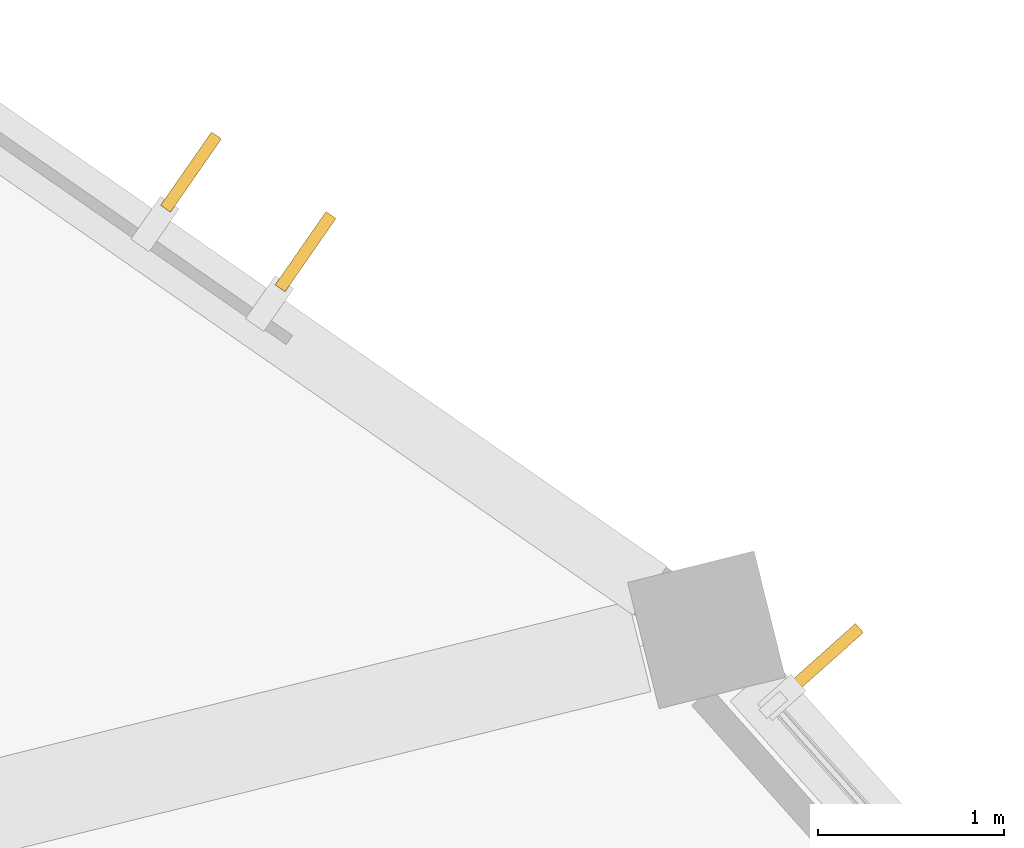
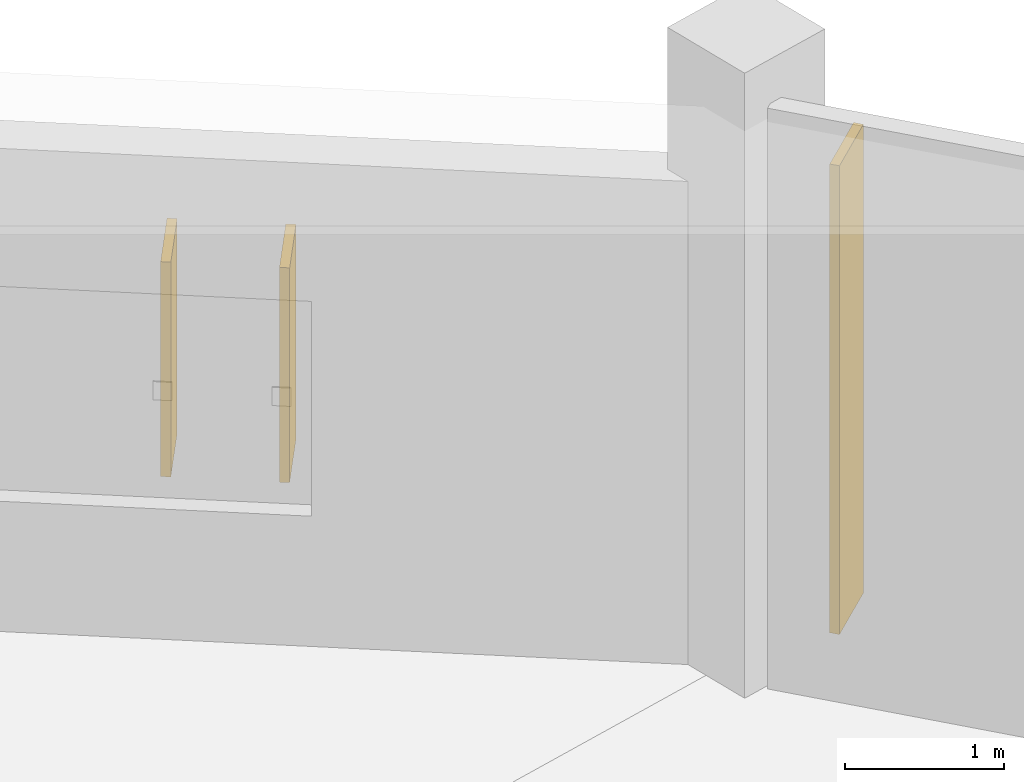
# One storey, part 179 of 179: 3 shading devices.
"""IFC4 building model written with IfcOpenShell, lengths in metres."""

from ifc_helpers import new_model, si_unit, direction, frame, origin, origin_2d, place, context, subcontext, project, spatial, rectangle, extrude, material, type_object, element, save


model = new_model("IFC4")

# Units and contexts
model_context = context("Model", 3, precision=1e-05, world=origin(), true_north=direction((0.0, 1.0)))
body_context = subcontext(model_context, "Body", "Model", "MODEL_VIEW")
ifc_project = project(units=[si_unit("LENGTHUNIT", "METRE"), si_unit("AREAUNIT", "SQUARE_METRE"), si_unit("VOLUMEUNIT", "CUBIC_METRE"), si_unit("PLANEANGLEUNIT", "RADIAN"), si_unit("MASSUNIT", "GRAM", prefix="KILO")], contexts=[model_context])

# Site, building, storey
site_placement = place(None, origin())
site = spatial("IfcSite", under=ifc_project, at=site_placement, CompositionType="ELEMENT")
building_placement = place(site_placement, origin())
building = spatial("IfcBuilding", under=site, at=building_placement, Name="Corvandel Quay Wholesale Market", CompositionType="ELEMENT")
storey_placement = place(building_placement, frame((0.0, 0.0, 6.0)))
storey = spatial("IfcBuildingStorey", under=building, at=storey_placement, Name="L01", CompositionType="ELEMENT", Elevation=6.0)

# Shading devices
ifc_material = material(Name="Bronze anodised extruded aluminium 6063-T6", Category="aluminium")
shading_device_type = type_object("IfcShadingDeviceType", Name="Vertical Anodised Bronze Solar Fin FN01 480mm", PredefinedType="JALOUSIE", material=ifc_material)
shading_device_placement = place(storey_placement, frame((164.27001953125, 128.166015625, 0.175048828125), z_axis=(0.0, 0.0, 1.0), x_axis=(0.746289766155, 0.665621202286, 0.0)))
element("IfcShadingDevice", 1, at=shading_device_placement, inside=storey, type_object=shading_device_type, Name="Solar Fin 0268", PredefinedType="JALOUSIE", context=body_context, shape_type="SweptSolid", body=[
    extrude(rectangle(XDim=0.47998046875, YDim=0.06494140625, at=origin_2d()), origin(), (0.0, 0.0, 1.0), 3.60009765625),
])
for number, where, z_axis, x_axis, name in (
    (2, (161.470947265625, 130.349609375, 1.0), (0.0, 0.0, 1.0), (0.570570241419, 0.821248804935, 0.0), "Solar Fin 0274"),
    (3, (160.85498046875, 130.777587890625, 1.0), (0.0, 0.0, 1.0), (0.570570241419, 0.821248804935, 0.0), "Solar Fin 0275"),
):
    element("IfcShadingDevice", number, at=place(storey_placement, frame(where, z_axis=z_axis, x_axis=x_axis)), inside=storey, type_object=shading_device_type, Name=name, PredefinedType="JALOUSIE", context=body_context, shape_type="SweptSolid", body=[
        extrude(rectangle(XDim=0.47998046875, YDim=0.06494140625, at=origin_2d()), origin(), (0.0, 0.0, 1.0), 1.64990234375),
    ])

save(model, "model.ifc")
